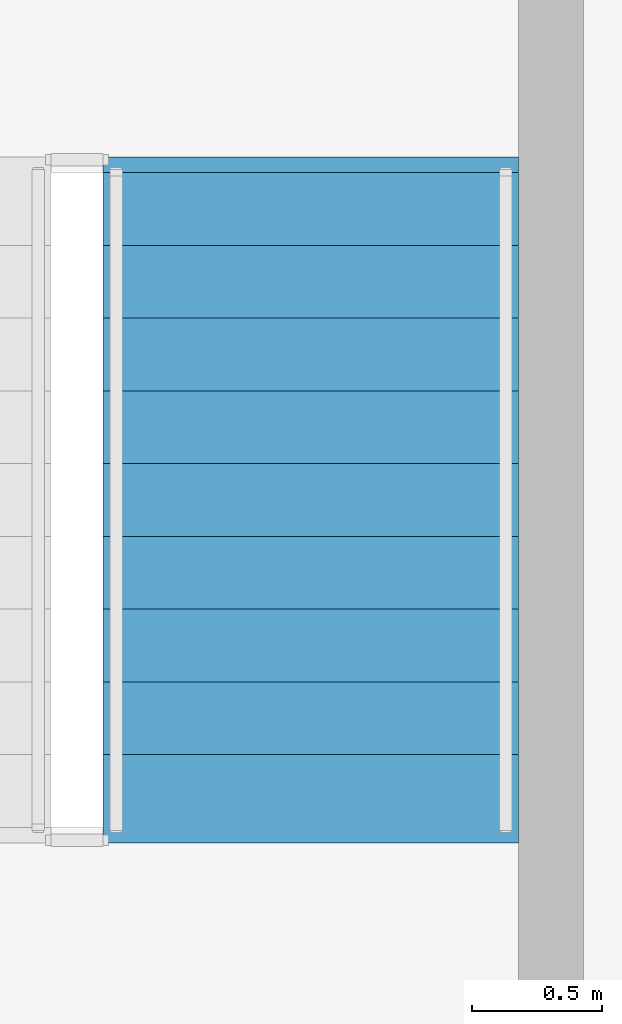
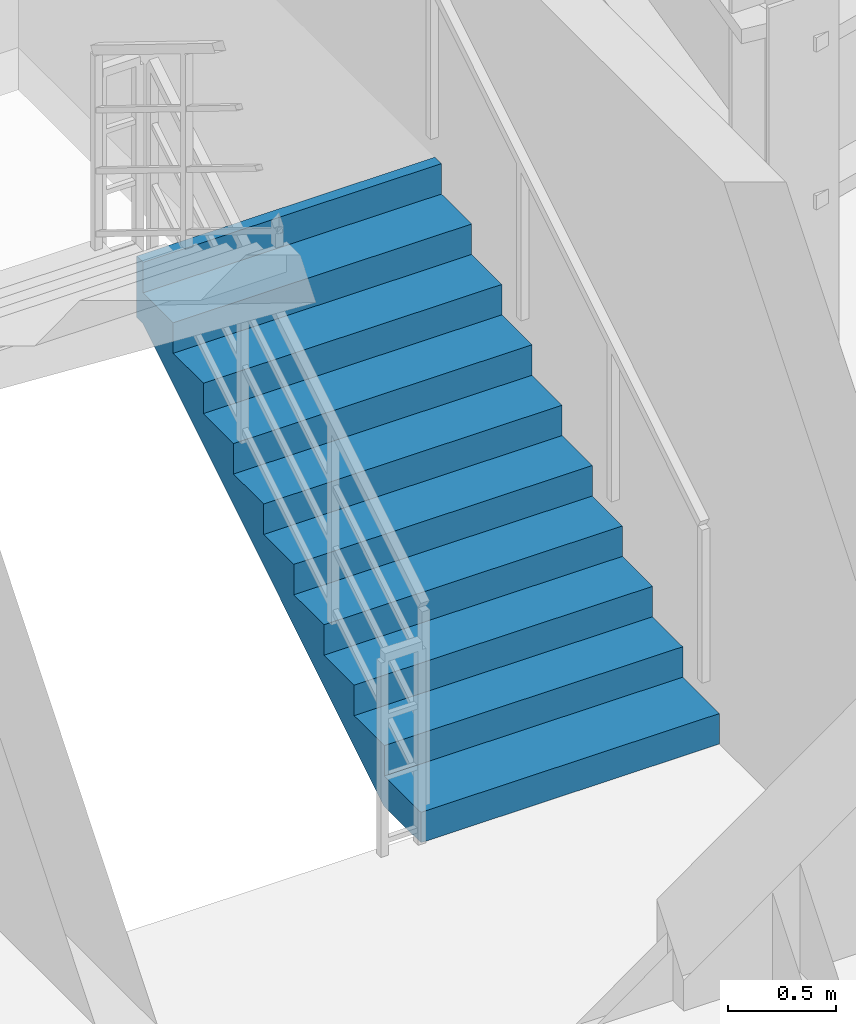
# One storey, part 12 of 13: 1 stair flight, 1 element without a shape of its own.
"""IFC4 building model written with IfcOpenShell, lengths in metres."""

from ifc_helpers import new_model, si_unit, direction, frame, origin, place, context, subcontext, project, spatial, polyline, outline, extrude, material, type_object, element, aggregate, save


model = new_model("IFC4")

# Units and contexts
model_context = context("Model", 3, precision=1e-05, world=origin(), true_north=direction((0.0, 1.0)))
body_context = subcontext(model_context, "Body", "Model", "MODEL_VIEW")
ifc_project = project(units=[si_unit("LENGTHUNIT", "METRE"), si_unit("AREAUNIT", "SQUARE_METRE"), si_unit("VOLUMEUNIT", "CUBIC_METRE"), si_unit("PLANEANGLEUNIT", "RADIAN"), si_unit("MASSUNIT", "GRAM", prefix="KILO")], contexts=[model_context])

# Site, building, storey
site_placement = place(None, origin())
site = spatial("IfcSite", under=ifc_project, at=site_placement, CompositionType="ELEMENT")
building_placement = place(site_placement, origin())
building = spatial("IfcBuilding", under=site, at=building_placement, Name="Varakhsha Concourse Tower", CompositionType="ELEMENT")
storey_placement = place(building_placement, frame((0.0, 0.0, 147.050048828125)))
storey = spatial("IfcBuildingStorey", under=building, at=storey_placement, Name="L42", CompositionType="ELEMENT", Elevation=147.050048828125)

# Stair, stair flight
ifc_material = material(Name="Concrete fc 45 MPa", Category="concrete")
stair_type = type_object("IfcStairType", Name="ST-DOGLEG-1600", PredefinedType="HALF_TURN_STAIR", material=ifc_material)
stair_placement = place(storey_placement, origin())
stair = element("IfcStair", 1, at=stair_placement, inside=storey, type_object=stair_type, Name="L42 Protected Exit Stair ST5", PredefinedType="HALF_TURN_STAIR")
stair_flight_type = type_object("IfcStairFlightType", Name="STF-1600-R1725", PredefinedType="STRAIGHT", material=ifc_material)
stair_flight_placement = place(storey_placement, frame((40.89990234375, 40.300048828125, 0.0), z_axis=(0.0, 0.0, 1.0), x_axis=(0.0, 1.0, 0.0)))
stair_flight = element("IfcStairFlight", 2, at=stair_flight_placement, type_object=stair_flight_type, Name="ST5 flight 1", NumberOfRisers=10, NumberOfTreads=9, PredefinedType="STRAIGHT", RiserHeight=0.1725, TreadLength=0.28, context=body_context, shape_type="SweptSolid", body=[
    extrude(outline(polyline([(-0.06005859375, 0.0), (-0.06005859375, 0.172607421875), (0.0, 0.172607421875), (0.280029296875, 0.172607421875), (0.280029296875, 0.344970703125), (0.56005859375, 0.344970703125), (0.56005859375, 0.517578125), (0.840087890625, 0.517578125), (0.840087890625, 0.68994140625), (1.1201171875, 0.68994140625), (1.1201171875, 0.862548828125), (1.39990234375, 0.862548828125), (1.39990234375, 1.034912109375), (1.679931640625, 1.034912109375), (1.679931640625, 1.20751953125), (1.9599609375, 1.20751953125), (1.9599609375, 1.3798828125), (2.239990234375, 1.3798828125), (2.239990234375, 1.552490234375), (2.52001953125, 1.552490234375), (2.52001953125, 1.72509765625), (2.580078125, 1.72509765625), (2.580078125, 1.37646484375), (2.52001953125, 1.37646484375), (0.285888671875, 0.0), (-0.06005859375, 0.0)])), frame((0.0, 0.800048828125, 0.0), z_axis=(0.0, -1.0, 0.0), x_axis=(1.0, 0.0, 0.0)), (0.0, 0.0, 1.0), 1.60009765625),
])
aggregate(stair, [stair_flight])

save(model, "model.ifc")
